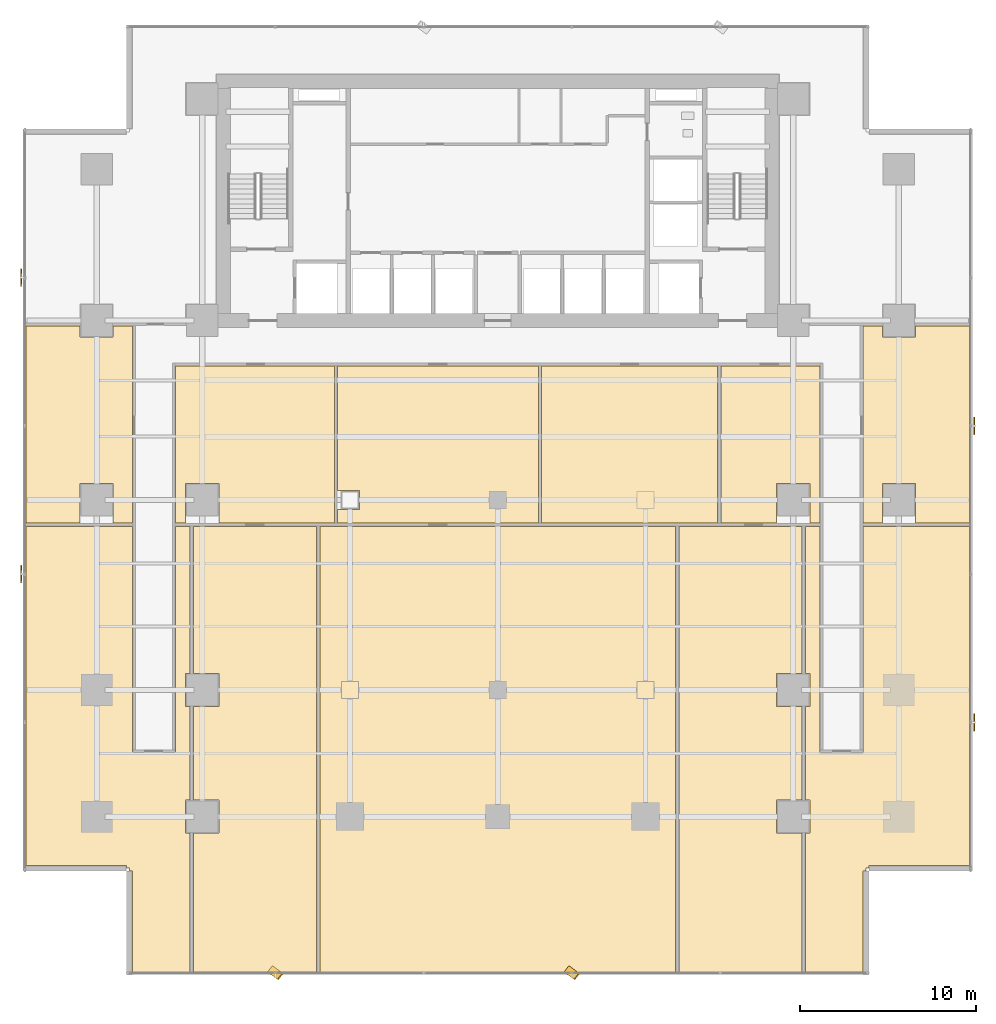
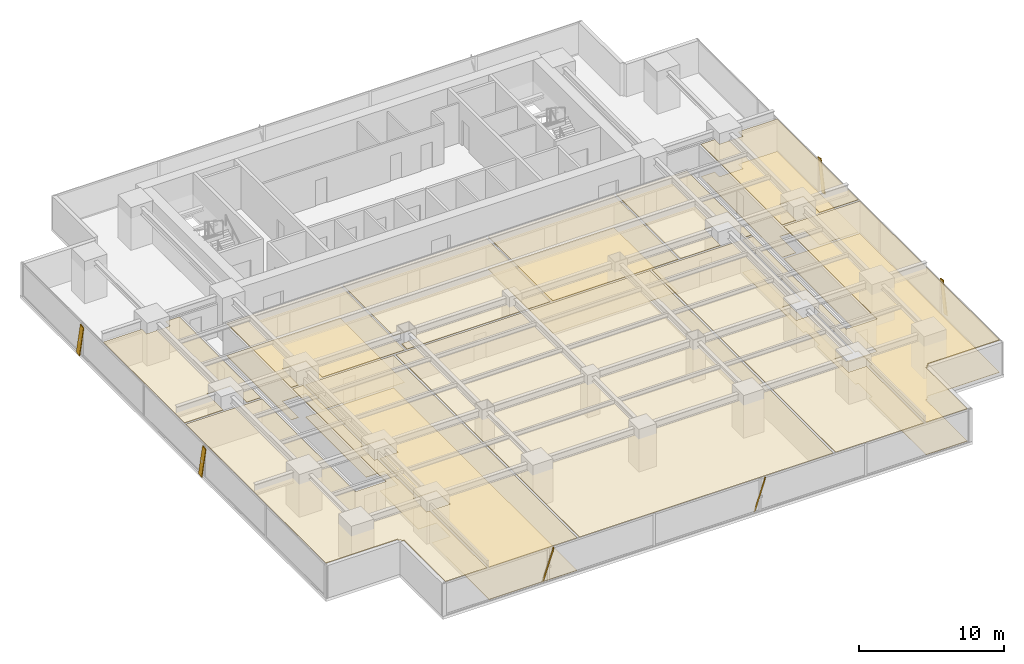
# One storey, part 28 of 32: 16 coverings, 6 shading devices.
"""IFC4 building model written with IfcOpenShell, lengths in metres."""

from ifc_helpers import new_model, si_unit, direction, frame, origin, origin_2d, place, context, subcontext, project, spatial, polyline, rectangle, outline, extrude, source, transform, mapped, material, layer, layer_set, material_profile, profile_set, type_object, element, save


model = new_model("IFC4")

# Units and contexts
model_context = context("Model", 3, precision=1e-05, world=origin(), true_north=direction((0.0, 1.0)))
body_context = subcontext(model_context, "Body", "Model", "MODEL_VIEW")
ifc_project = project(units=[si_unit("LENGTHUNIT", "METRE"), si_unit("AREAUNIT", "SQUARE_METRE"), si_unit("VOLUMEUNIT", "CUBIC_METRE"), si_unit("PLANEANGLEUNIT", "RADIAN"), si_unit("MASSUNIT", "GRAM", prefix="KILO")], contexts=[model_context])

# Site, building, storey
site_placement = place(None, origin())
site = spatial("IfcSite", under=ifc_project, at=site_placement, CompositionType="ELEMENT")
building_placement = place(site_placement, origin())
building = spatial("IfcBuilding", under=site, at=building_placement, Name="Sumidabori Civic Tower", CompositionType="ELEMENT")
storey_placement = place(building_placement, frame((0.0, 0.0, 52.39990234375)))
storey = spatial("IfcBuildingStorey", under=building, at=storey_placement, Name="L13", CompositionType="ELEMENT", Elevation=52.39990234375)

# Coverings
ifc_material_1 = material(Name="Anodised Bronze Baffle Ceiling")
ifc_layer_1 = layer(ifc_material_1, 0.054931640625, Name="Anodised Bronze Baffle Ceiling")
ifc_layer_set_1 = layer_set([ifc_layer_1], Name="Anodised Bronze Baffle Ceiling")
covering_type_1 = type_object("IfcCoveringType", Name="CV-CEIL-AC3", PredefinedType="CEILING", material=ifc_layer_set_1)
covering_1_placement = place(storey_placement, frame((0.0, 0.0, 2.710205078125)))
element("IfcCovering", 1, at=covering_1_placement, inside=storey, type_object=covering_type_1, Name="Room Acoustic Ceiling L13-02", PredefinedType="CEILING", context=body_context, shape_type="SweptSolid", body=[
    extrude(outline(polyline([(-26.830078125, -1.304931640625), (-26.830078125, 9.905029296875), (-23.739990234375, 9.905029296875), (-23.739990234375, 9.260009765625), (-21.860107421875, 9.260009765625), (-21.860107421875, 9.905029296875), (-20.77001953125, 9.905029296875), (-20.77001953125, -1.304931640625), (-21.860107421875, -1.304931640625), (-21.860107421875, 0.93994140625), (-23.739990234375, 0.93994140625), (-23.739990234375, -1.304931640625), (-26.830078125, -1.304931640625)])), origin(), (0.0, 0.0, 1.0), 0.054931640625),
])
covering_2_placement = place(storey_placement, frame((0.0, 0.0, 2.710205078125)))
element("IfcCovering", 2, at=covering_2_placement, inside=storey, type_object=covering_type_1, Name="Room Acoustic Ceiling L13-03", PredefinedType="CEILING", context=body_context, shape_type="SweptSolid", body=[
    extrude(outline(polyline([(20.77001953125, 9.905029296875), (21.860107421875, 9.905029296875), (21.860107421875, 9.260009765625), (23.739990234375, 9.260009765625), (23.739990234375, 9.905029296875), (26.830078125, 9.905029296875), (26.830078125, -1.304931640625), (23.739990234375, -1.304931640625), (23.739990234375, 0.93994140625), (21.860107421875, 0.93994140625), (21.860107421875, -1.304931640625), (20.77001953125, -1.304931640625), (20.77001953125, 9.905029296875)])), origin(), (0.0, 0.0, 1.0), 0.054931640625),
])
covering_3_placement = place(storey_placement, frame((0.0, 0.0, 2.710205078125)))
element("IfcCovering", 3, at=covering_3_placement, inside=storey, type_object=covering_type_1, Name="Room Acoustic Ceiling L13-04", PredefinedType="CEILING", context=body_context, shape_type="SweptSolid", body=[
    extrude(outline(polyline([(12.695068359375, 7.6298828125), (18.330078125, 7.6298828125), (18.330078125, -1.304931640625), (17.739990234375, -1.304931640625), (17.739990234375, 0.93994140625), (15.860107421875, 0.93994140625), (15.860107421875, -1.304931640625), (12.695068359375, -1.304931640625), (12.695068359375, 7.6298828125)])), origin(), (0.0, 0.0, 1.0), 0.054931640625),
])
covering_4_placement = place(storey_placement, frame((0.0, 0.0, 2.710205078125)))
element("IfcCovering", 4, at=covering_4_placement, inside=storey, type_object=covering_type_1, Name="Room Acoustic Ceiling L13-05", PredefinedType="CEILING", context=body_context, shape_type="SweptSolid", body=[
    extrude(outline(polyline([(-18.330078125, 7.6298828125), (-9.294921875, 7.6298828125), (-9.294921875, -1.304931640625), (-15.860107421875, -1.304931640625), (-15.860107421875, 0.93994140625), (-17.739990234375, 0.93994140625), (-17.739990234375, -1.304931640625), (-18.330078125, -1.304931640625), (-18.330078125, 7.6298828125)])), origin(), (0.0, 0.0, 1.0), 0.054931640625),
])
covering_5_placement = place(storey_placement, frame((0.0, 0.0, 2.710205078125)))
element("IfcCovering", 5, at=covering_5_placement, inside=storey, type_object=covering_type_1, Name="Room Acoustic Ceiling L13-06", PredefinedType="CEILING", context=body_context, shape_type="SweptSolid", body=[
    extrude(outline(polyline([(-9.10498046875, -0.5400390625), (-7.860107421875, -0.5400390625), (-7.860107421875, 0.5400390625), (-9.10498046875, 0.5400390625), (-9.10498046875, 7.6298828125), (2.304931640625, 7.6298828125), (2.304931640625, -1.304931640625), (-9.10498046875, -1.304931640625), (-9.10498046875, -0.5400390625)])), origin(), (0.0, 0.0, 1.0), 0.054931640625),
])
covering_6_placement = place(storey_placement, frame((0.0, 0.0, 2.710205078125)))
element("IfcCovering", 6, at=covering_6_placement, inside=storey, type_object=covering_type_1, Name="Room Acoustic Ceiling L13-07", PredefinedType="CEILING", context=body_context, shape_type="SweptSolid", body=[
    extrude(outline(polyline([(2.4951171875, 7.6298828125), (12.5048828125, 7.6298828125), (12.5048828125, -1.304931640625), (2.4951171875, -1.304931640625), (2.4951171875, 7.6298828125)])), origin(), (0.0, 0.0, 1.0), 0.054931640625),
])
covering_7_placement = place(storey_placement, frame((0.0, 0.0, 2.710205078125)))
element("IfcCovering", 7, at=covering_7_placement, inside=storey, type_object=covering_type_1, Name="Room Acoustic Ceiling L13-08", PredefinedType="CEILING", context=body_context, shape_type="SweptSolid", body=[
    extrude(outline(polyline([(-26.830078125, -20.77197265625), (-26.830078125, -1.4951171875), (-20.77001953125, -1.4951171875), (-20.77001953125, -14.3701171875), (-18.330078125, -14.3701171875), (-18.330078125, -1.4951171875), (-17.4951171875, -1.4951171875), (-17.4951171875, -9.860107421875), (-17.739990234375, -9.860107421875), (-17.739990234375, -11.739990234375), (-17.4951171875, -11.739990234375), (-17.4951171875, -17.06005859375), (-17.739990234375, -17.06005859375), (-17.739990234375, -18.93994140625), (-17.4951171875, -18.93994140625), (-17.4951171875, -26.830078125), (-20.77197265625, -26.830078125), (-20.77197265625, -21.092041015625), (-20.929931640625, -21.092041015625), (-20.929931640625, -20.929931640625), (-21.092041015625, -20.929931640625), (-21.092041015625, -20.77197265625), (-26.830078125, -20.77197265625)])), origin(), (0.0, 0.0, 1.0), 0.054931640625),
])
covering_8_placement = place(storey_placement, frame((0.0, 0.0, 2.710205078125)))
element("IfcCovering", 8, at=covering_8_placement, inside=storey, type_object=covering_type_1, Name="Room Acoustic Ceiling L13-09", PredefinedType="CEILING", context=body_context, shape_type="SweptSolid", body=[
    extrude(outline(polyline([(18.330078125, -14.3701171875), (20.77001953125, -14.3701171875), (20.77001953125, -1.4951171875), (26.830078125, -1.4951171875), (26.830078125, -20.77197265625), (21.092041015625, -20.77197265625), (21.092041015625, -20.929931640625), (20.929931640625, -20.929931640625), (20.929931640625, -21.092041015625), (20.77197265625, -21.092041015625), (20.77197265625, -26.830078125), (17.4951171875, -26.830078125), (17.4951171875, -18.93994140625), (17.739990234375, -18.93994140625), (17.739990234375, -17.06005859375), (17.4951171875, -17.06005859375), (17.4951171875, -11.739990234375), (17.739990234375, -11.739990234375), (17.739990234375, -9.860107421875), (17.4951171875, -9.860107421875), (17.4951171875, -1.4951171875), (18.330078125, -1.4951171875), (18.330078125, -14.3701171875)])), origin(), (0.0, 0.0, 1.0), 0.054931640625),
])
covering_9_placement = place(storey_placement, frame((0.0, 0.0, 2.710205078125)))
element("IfcCovering", 9, at=covering_9_placement, inside=storey, type_object=covering_type_1, Name="Room Acoustic Ceiling L13-10", PredefinedType="CEILING", context=body_context, shape_type="SweptSolid", body=[
    extrude(outline(polyline([(10.10498046875, -26.830078125), (-10.10498046875, -26.830078125), (-10.10498046875, -1.4951171875), (10.10498046875, -1.4951171875), (10.10498046875, -26.830078125)])), origin(), (0.0, 0.0, 1.0), 0.054931640625),
])
covering_10_placement = place(storey_placement, frame((0.0, 0.0, 2.710205078125)))
element("IfcCovering", 10, at=covering_10_placement, inside=storey, type_object=covering_type_1, Name="Room Acoustic Ceiling L13-11", PredefinedType="CEILING", context=body_context, shape_type="SweptSolid", body=[
    extrude(outline(polyline([(-10.294921875, -26.830078125), (-17.304931640625, -26.830078125), (-17.304931640625, -18.93994140625), (-15.860107421875, -18.93994140625), (-15.860107421875, -17.06005859375), (-17.304931640625, -17.06005859375), (-17.304931640625, -11.739990234375), (-15.860107421875, -11.739990234375), (-15.860107421875, -9.860107421875), (-17.304931640625, -9.860107421875), (-17.304931640625, -1.4951171875), (-10.294921875, -1.4951171875), (-10.294921875, -26.830078125)])), origin(), (0.0, 0.0, 1.0), 0.054931640625),
])
covering_11_placement = place(storey_placement, frame((0.0, 0.0, 2.710205078125)))
element("IfcCovering", 11, at=covering_11_placement, inside=storey, type_object=covering_type_1, Name="Room Acoustic Ceiling L13-12", PredefinedType="CEILING", context=body_context, shape_type="SweptSolid", body=[
    extrude(outline(polyline([(17.304931640625, -9.860107421875), (15.860107421875, -9.860107421875), (15.860107421875, -11.739990234375), (17.304931640625, -11.739990234375), (17.304931640625, -17.06005859375), (15.860107421875, -17.06005859375), (15.860107421875, -18.93994140625), (17.304931640625, -18.93994140625), (17.304931640625, -26.830078125), (10.294921875, -26.830078125), (10.294921875, -1.4951171875), (17.304931640625, -1.4951171875), (17.304931640625, -9.860107421875)])), origin(), (0.0, 0.0, 1.0), 0.054931640625),
])
ifc_material_2 = material(Name="Honed Terrazzo Tile Flooring")
ifc_layer_2 = layer(ifc_material_2, 0.030029296875, Name="Honed Terrazzo Tile Flooring")
ifc_layer_set_2 = layer_set([ifc_layer_2], Name="Honed Terrazzo Tile Flooring")
covering_type_2 = type_object("IfcCoveringType", Name="CV-FLR-TER", PredefinedType="FLOORING", material=ifc_layer_set_2)
covering_12_placement = place(storey_placement, origin())
element("IfcCovering", 12, at=covering_12_placement, inside=storey, type_object=covering_type_2, Name="Room Terrazzo Floor L13-03", PredefinedType="FLOORING", context=body_context, shape_type="SweptSolid", body=[
    extrude(outline(polyline([(20.77001953125, 9.905029296875), (21.860107421875, 9.905029296875), (21.860107421875, 9.260009765625), (23.739990234375, 9.260009765625), (23.739990234375, 9.905029296875), (26.830078125, 9.905029296875), (26.830078125, -1.304931640625), (23.739990234375, -1.304931640625), (23.739990234375, 0.93994140625), (21.860107421875, 0.93994140625), (21.860107421875, -1.304931640625), (20.77001953125, -1.304931640625), (20.77001953125, 9.905029296875)])), origin(), (0.0, 0.0, 1.0), 0.030029296875),
])
covering_13_placement = place(storey_placement, origin())
element("IfcCovering", 13, at=covering_13_placement, inside=storey, type_object=covering_type_2, Name="Room Terrazzo Floor L13-05", PredefinedType="FLOORING", context=body_context, shape_type="SweptSolid", body=[
    extrude(outline(polyline([(-18.330078125, 7.6298828125), (-9.294921875, 7.6298828125), (-9.294921875, -1.304931640625), (-15.860107421875, -1.304931640625), (-15.860107421875, 0.93994140625), (-17.739990234375, 0.93994140625), (-17.739990234375, -1.304931640625), (-18.330078125, -1.304931640625), (-18.330078125, 7.6298828125)])), origin(), (0.0, 0.0, 1.0), 0.030029296875),
])
covering_14_placement = place(storey_placement, origin())
element("IfcCovering", 14, at=covering_14_placement, inside=storey, type_object=covering_type_2, Name="Room Terrazzo Floor L13-07", PredefinedType="FLOORING", context=body_context, shape_type="SweptSolid", body=[
    extrude(outline(polyline([(2.4951171875, 7.6298828125), (12.5048828125, 7.6298828125), (12.5048828125, -1.304931640625), (2.4951171875, -1.304931640625), (2.4951171875, 7.6298828125)])), origin(), (0.0, 0.0, 1.0), 0.030029296875),
])
covering_15_placement = place(storey_placement, origin())
element("IfcCovering", 15, at=covering_15_placement, inside=storey, type_object=covering_type_2, Name="Room Terrazzo Floor L13-09", PredefinedType="FLOORING", context=body_context, shape_type="SweptSolid", body=[
    extrude(outline(polyline([(18.330078125, -14.3701171875), (20.77001953125, -14.3701171875), (20.77001953125, -1.4951171875), (26.830078125, -1.4951171875), (26.830078125, -20.77197265625), (21.092041015625, -20.77197265625), (21.092041015625, -20.929931640625), (20.929931640625, -20.929931640625), (20.929931640625, -21.092041015625), (20.77197265625, -21.092041015625), (20.77197265625, -26.830078125), (17.4951171875, -26.830078125), (17.4951171875, -18.93994140625), (17.739990234375, -18.93994140625), (17.739990234375, -17.06005859375), (17.4951171875, -17.06005859375), (17.4951171875, -11.739990234375), (17.739990234375, -11.739990234375), (17.739990234375, -9.860107421875), (17.4951171875, -9.860107421875), (17.4951171875, -1.4951171875), (18.330078125, -1.4951171875), (18.330078125, -14.3701171875)])), origin(), (0.0, 0.0, 1.0), 0.030029296875),
])
covering_16_placement = place(storey_placement, origin())
element("IfcCovering", 16, at=covering_16_placement, inside=storey, type_object=covering_type_2, Name="Room Terrazzo Floor L13-11", PredefinedType="FLOORING", context=body_context, shape_type="SweptSolid", body=[
    extrude(outline(polyline([(-10.294921875, -26.830078125), (-17.304931640625, -26.830078125), (-17.304931640625, -18.93994140625), (-15.860107421875, -18.93994140625), (-15.860107421875, -17.06005859375), (-17.304931640625, -17.06005859375), (-17.304931640625, -11.739990234375), (-15.860107421875, -11.739990234375), (-15.860107421875, -9.860107421875), (-17.304931640625, -9.860107421875), (-17.304931640625, -1.4951171875), (-10.294921875, -1.4951171875), (-10.294921875, -26.830078125)])), origin(), (0.0, 0.0, 1.0), 0.030029296875),
])

# Shading devices
ifc_material_3 = material(Name="Anodised Bronze Aluminium AW-6063-T6", Category="aluminium")
ifc_material_profile = material_profile(ifc_material_3, rectangle(XDim=0.06005859375, YDim=0.449951171875, at=origin_2d()), Name="BRONZE FIN 450x60")
ifc_profile_set = profile_set([ifc_material_profile], Name="Anodised Bronze Aluminium AW-6063-T6")
shading_device_type = type_object("IfcShadingDeviceType", Name="SH-FIN-450", PredefinedType="USERDEFINED", material=ifc_profile_set)
shared_shape_1 = source(origin(), body_context, "Body", "SweptSolid", [
    extrude(rectangle(XDim=0.06005859375, YDim=0.449951171875, at=origin_2d()), origin(), (0.0, 0.0, 1.0), 2.77001953125),
])
for number, where, z_axis, x_axis, name in (
    (17, (-12.922119140625, -26.669921875, 0.02001953125), (0.202178689694, -0.151678084117, 0.967531671953), (0.773944359394, -0.580626958377, -0.252749804684), "Bronze Anodised Diagonal Fin L13-01"),
    (18, (3.93408203125, -26.669921875, 0.02001953125), (0.202094156315, -0.151680786314, 0.967548908865), (0.773836593328, -0.580799292245, -0.252683812211), "Bronze Anodised Diagonal Fin L13-03"),
):
    element("IfcShadingDevice", number, at=place(storey_placement, frame(where, z_axis=z_axis, x_axis=x_axis)), inside=storey, type_object=shading_device_type, Name=name, ObjectType="FIN", PredefinedType="USERDEFINED", context=body_context, shape_type="MappedRepresentation", body=[
        mapped(shared_shape_1, transform((0.0, 0.0, 0.0), x_axis=(1.0, 0.0, 0.0), y_axis=(0.0, 1.0, 0.0), z_axis=(0.0, 0.0, 1.0), scale=1.0)),
    ])
shared_shape_2 = source(origin(), body_context, "Body", "SweptSolid", [
    extrude(rectangle(XDim=0.06005859375, YDim=0.449951171875, at=origin_2d()), origin(), (0.0, 0.0, 1.0), 2.738037109375),
])
for number, where, z_axis, x_axis, name in (
    (19, (27.090087890625, -12.922119140625, 0.02001953125), (0.0, 0.204545289674, 0.97885710115), (-1.0, 0.0, 0.0), "Bronze Anodised Diagonal Fin L13-01"),
    (20, (27.090087890625, 3.93408203125, 0.02001953125), (0.0, 0.204459852566, 0.978874950486), (-1.0, 0.0, 0.0), "Bronze Anodised Diagonal Fin L13-03"),
    (21, (-27.090087890625, 12.922119140625, 0.02001953125), (0.0, -0.204545289674, 0.97885710115), (-1.0, 0.0, 0.0), "Bronze Anodised Diagonal Fin L13-01"),
    (22, (-27.090087890625, -3.93408203125, 0.02001953125), (0.0, -0.204459852566, 0.978874950486), (-1.0, 0.0, 0.0), "Bronze Anodised Diagonal Fin L13-03"),
):
    element("IfcShadingDevice", number, at=place(storey_placement, frame(where, z_axis=z_axis, x_axis=x_axis)), inside=storey, type_object=shading_device_type, Name=name, ObjectType="FIN", PredefinedType="USERDEFINED", context=body_context, shape_type="MappedRepresentation", body=[
        mapped(shared_shape_2, transform((0.0, 0.0, 0.0), x_axis=(1.0, 0.0, 0.0), y_axis=(0.0, 1.0, 0.0), z_axis=(0.0, 0.0, 1.0), scale=1.0)),
    ])

save(model, "model.ifc")
